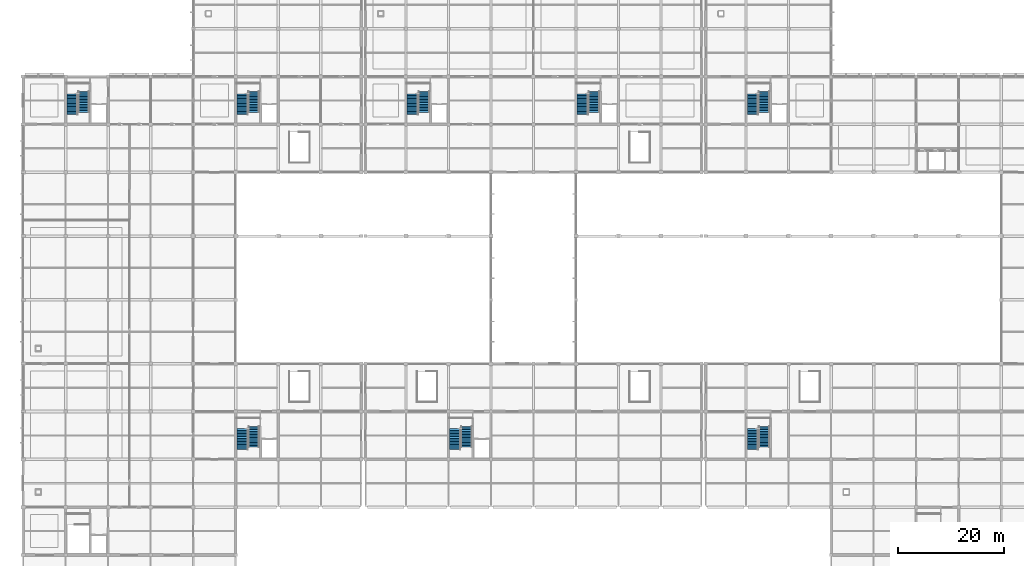
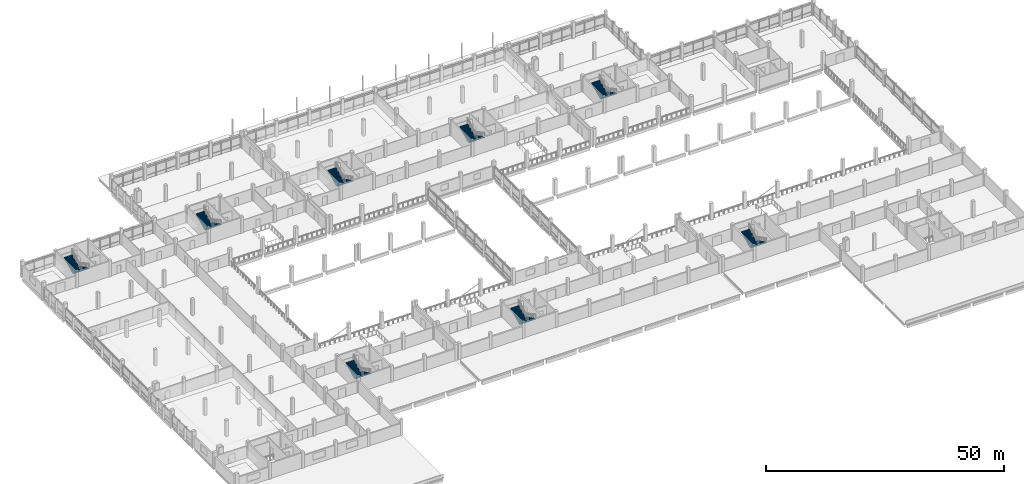
# One storey, part 51 of 57: 16 stair flights, 8 elements without a shape of their own.
"""IFC4 building model written with IfcOpenShell, lengths in metres."""

from ifc_helpers import new_model, si_unit, direction, frame, origin, place, context, subcontext, project, spatial, polyline, outline, extrude, material, type_object, element, aggregate, save


model = new_model("IFC4")

# Units and contexts
model_context = context("Model", 3, precision=1e-05, world=origin(), true_north=direction((0.0, 1.0)))
body_context = subcontext(model_context, "Body", "Model", "MODEL_VIEW")
ifc_project = project(units=[si_unit("LENGTHUNIT", "METRE"), si_unit("AREAUNIT", "SQUARE_METRE"), si_unit("VOLUMEUNIT", "CUBIC_METRE"), si_unit("PLANEANGLEUNIT", "RADIAN"), si_unit("MASSUNIT", "GRAM", prefix="KILO"), si_unit("THERMODYNAMICTEMPERATUREUNIT", "KELVIN"), si_unit("POWERUNIT", "WATT")], contexts=[model_context])

# Site, building, storey
site_placement = place(None, origin())
site = spatial("IfcSite", under=ifc_project, at=site_placement, CompositionType="ELEMENT")
building_placement = place(site_placement, origin())
building = spatial("IfcBuilding", under=site, at=building_placement, Name="Kronsvod Quay Wholesale Market", CompositionType="ELEMENT")
storey_placement = place(building_placement, frame((0.0, 0.0, 4.800048828125)))
storey = spatial("IfcBuildingStorey", under=building, at=storey_placement, Name="L01", CompositionType="ELEMENT", Elevation=4.800048828125)

# Stair, stair flights
ifc_material_1 = material(Name="Concrete C35/45", Category="concrete")
stair_type_1 = type_object("IfcStairType", Name="Stair_CoreUpper_28R", PredefinedType="HALF_TURN_STAIR", material=ifc_material_1)
stair_1_placement = place(storey_placement, origin())
stair_1 = element("IfcStair", 1, at=stair_1_placement, inside=storey, type_object=stair_type_1, Name="ST02-L01", PredefinedType="HALF_TURN_STAIR")
ifc_material_2 = material(Name="Concrete C35/45", Category="concrete")
stair_flight_type_1 = type_object("IfcStairFlightType", Name="StairFlight_14R_150", PredefinedType="STRAIGHT", material=ifc_material_2)
stair_flight_1_placement = place(storey_placement, frame((11.419921875, 105.179931640625, 0.0), z_axis=(0.0, 0.0, 1.0), x_axis=(0.0, -1.0, 0.0)))
stair_flight_1 = element("IfcStairFlight", 2, at=stair_flight_1_placement, type_object=stair_flight_type_1, Name="ST02-L01-F1", NumberOfRisers=14, NumberOfTreads=13, PredefinedType="STRAIGHT", RiserHeight=0.15, TreadLength=0.3, context=body_context, shape_type="SweptSolid", body=[
    extrude(outline(polyline([(0.0, 0.0), (0.0, 0.14990234375), (0.300048828125, 0.14990234375), (0.300048828125, 0.300048828125), (0.60009765625, 0.300048828125), (0.60009765625, 0.449951171875), (0.89990234375, 0.449951171875), (0.89990234375, 0.60009765625), (1.199951171875, 0.60009765625), (1.199951171875, 0.75), (1.5, 0.75), (1.5, 0.89990234375), (1.800048828125, 0.89990234375), (1.800048828125, 1.050048828125), (2.10009765625, 1.050048828125), (2.10009765625, 1.199951171875), (2.39990234375, 1.199951171875), (2.39990234375, 1.35009765625), (2.699951171875, 1.35009765625), (2.699951171875, 1.5), (3.0, 1.5), (3.0, 1.64990234375), (3.300048828125, 1.64990234375), (3.300048828125, 1.800048828125), (3.60009765625, 1.800048828125), (3.60009765625, 1.949951171875), (3.89990234375, 1.949951171875), (3.89990234375, 2.10009765625), (3.89990234375, 1.771240234375), (0.357666015625, 0.0), (0.0, 0.0)])), frame((0.0, 1.02001953125, 0.0), z_axis=(0.0, -1.0, 0.0), x_axis=(1.0, 0.0, 0.0)), (0.0, 0.0, 1.0), 2.0400390625),
])
stair_flight_2_placement = place(storey_placement, frame((9.239990234375, 100.860107421875, 2.099853515625), z_axis=(0.0, 0.0, 1.0), x_axis=(0.0, 1.0, 0.0)))
stair_flight_2 = element("IfcStairFlight", 3, at=stair_flight_2_placement, type_object=stair_flight_type_1, Name="ST02-L01-F2", NumberOfRisers=14, NumberOfTreads=13, PredefinedType="STRAIGHT", RiserHeight=0.15, TreadLength=0.3, context=body_context, shape_type="SweptSolid", body=[
    extrude(outline(polyline([(0.0, 0.0), (0.0, 0.14990234375), (0.300048828125, 0.14990234375), (0.300048828125, 0.300048828125), (0.60009765625, 0.300048828125), (0.60009765625, 0.449951171875), (0.89990234375, 0.449951171875), (0.89990234375, 0.60009765625), (1.199951171875, 0.60009765625), (1.199951171875, 0.75), (1.5, 0.75), (1.5, 0.89990234375), (1.800048828125, 0.89990234375), (1.800048828125, 1.050048828125), (2.10009765625, 1.050048828125), (2.10009765625, 1.199951171875), (2.39990234375, 1.199951171875), (2.39990234375, 1.35009765625), (2.699951171875, 1.35009765625), (2.699951171875, 1.5), (3.0, 1.5), (3.0, 1.64990234375), (3.300048828125, 1.64990234375), (3.300048828125, 1.800048828125), (3.60009765625, 1.800048828125), (3.60009765625, 1.949951171875), (3.89990234375, 1.949951171875), (3.89990234375, 2.10009765625), (3.89990234375, 1.771240234375), (0.357666015625, 0.0), (0.0, 0.0)])), frame((0.0, 1.02001953125, 0.0), z_axis=(0.0, -1.0, 0.0), x_axis=(1.0, 0.0, 0.0)), (0.0, 0.0, 1.0), 2.0400390625),
])
aggregate(stair_1, [stair_flight_1, stair_flight_2])

stair_2_placement = place(storey_placement, origin())
stair_2 = element("IfcStair", 4, at=stair_2_placement, inside=storey, type_object=stair_type_1, Name="ST03-L01", PredefinedType="HALF_TURN_STAIR")
stair_flight_3_placement = place(storey_placement, frame((43.419921875, 42.179931640625, 0.0), z_axis=(0.0, 0.0, 1.0), x_axis=(0.0, -1.0, 0.0)))
stair_flight_3 = element("IfcStairFlight", 5, at=stair_flight_3_placement, type_object=stair_flight_type_1, Name="ST03-L01-F1", NumberOfRisers=14, NumberOfTreads=13, PredefinedType="STRAIGHT", RiserHeight=0.15, TreadLength=0.3, context=body_context, shape_type="SweptSolid", body=[
    extrude(outline(polyline([(0.0, 0.0), (0.0, 0.14990234375), (0.300048828125, 0.14990234375), (0.300048828125, 0.300048828125), (0.60009765625, 0.300048828125), (0.60009765625, 0.449951171875), (0.89990234375, 0.449951171875), (0.89990234375, 0.60009765625), (1.199951171875, 0.60009765625), (1.199951171875, 0.75), (1.5, 0.75), (1.5, 0.89990234375), (1.800048828125, 0.89990234375), (1.800048828125, 1.050048828125), (2.10009765625, 1.050048828125), (2.10009765625, 1.199951171875), (2.39990234375, 1.199951171875), (2.39990234375, 1.35009765625), (2.699951171875, 1.35009765625), (2.699951171875, 1.5), (3.0, 1.5), (3.0, 1.64990234375), (3.300048828125, 1.64990234375), (3.300048828125, 1.800048828125), (3.60009765625, 1.800048828125), (3.60009765625, 1.949951171875), (3.89990234375, 1.949951171875), (3.89990234375, 2.10009765625), (3.89990234375, 1.771240234375), (0.357666015625, 0.0), (0.0, 0.0)])), frame((0.0, 1.02001953125, 0.0), z_axis=(0.0, -1.0, 0.0), x_axis=(1.0, 0.0, 0.0)), (0.0, 0.0, 1.0), 2.0400390625),
])
stair_flight_4_placement = place(storey_placement, frame((41.239990234375, 37.860107421875, 2.099853515625), z_axis=(0.0, 0.0, 1.0), x_axis=(0.0, 1.0, 0.0)))
stair_flight_4 = element("IfcStairFlight", 6, at=stair_flight_4_placement, type_object=stair_flight_type_1, Name="ST03-L01-F2", NumberOfRisers=14, NumberOfTreads=13, PredefinedType="STRAIGHT", RiserHeight=0.15, TreadLength=0.3, context=body_context, shape_type="SweptSolid", body=[
    extrude(outline(polyline([(0.0, 0.0), (0.0, 0.14990234375), (0.300048828125, 0.14990234375), (0.300048828125, 0.300048828125), (0.60009765625, 0.300048828125), (0.60009765625, 0.449951171875), (0.89990234375, 0.449951171875), (0.89990234375, 0.60009765625), (1.199951171875, 0.60009765625), (1.199951171875, 0.75), (1.5, 0.75), (1.5, 0.89990234375), (1.800048828125, 0.89990234375), (1.800048828125, 1.050048828125), (2.10009765625, 1.050048828125), (2.10009765625, 1.199951171875), (2.39990234375, 1.199951171875), (2.39990234375, 1.35009765625), (2.699951171875, 1.35009765625), (2.699951171875, 1.5), (3.0, 1.5), (3.0, 1.64990234375), (3.300048828125, 1.64990234375), (3.300048828125, 1.800048828125), (3.60009765625, 1.800048828125), (3.60009765625, 1.949951171875), (3.89990234375, 1.949951171875), (3.89990234375, 2.10009765625), (3.89990234375, 1.771240234375), (0.357666015625, 0.0), (0.0, 0.0)])), frame((0.0, 1.02001953125, 0.0), z_axis=(0.0, -1.0, 0.0), x_axis=(1.0, 0.0, 0.0)), (0.0, 0.0, 1.0), 2.0400390625),
])
aggregate(stair_2, [stair_flight_3, stair_flight_4])

stair_3_placement = place(storey_placement, origin())
stair_3 = element("IfcStair", 7, at=stair_3_placement, inside=storey, type_object=stair_type_1, Name="ST04-L01", PredefinedType="HALF_TURN_STAIR")
stair_flight_5_placement = place(storey_placement, frame((83.419921875, 42.179931640625, 0.0), z_axis=(0.0, 0.0, 1.0), x_axis=(0.0, -1.0, 0.0)))
stair_flight_5 = element("IfcStairFlight", 8, at=stair_flight_5_placement, type_object=stair_flight_type_1, Name="ST04-L01-F1", NumberOfRisers=14, NumberOfTreads=13, PredefinedType="STRAIGHT", RiserHeight=0.15, TreadLength=0.3, context=body_context, shape_type="SweptSolid", body=[
    extrude(outline(polyline([(0.0, 0.0), (0.0, 0.14990234375), (0.300048828125, 0.14990234375), (0.300048828125, 0.300048828125), (0.60009765625, 0.300048828125), (0.60009765625, 0.449951171875), (0.89990234375, 0.449951171875), (0.89990234375, 0.60009765625), (1.199951171875, 0.60009765625), (1.199951171875, 0.75), (1.5, 0.75), (1.5, 0.89990234375), (1.800048828125, 0.89990234375), (1.800048828125, 1.050048828125), (2.10009765625, 1.050048828125), (2.10009765625, 1.199951171875), (2.39990234375, 1.199951171875), (2.39990234375, 1.35009765625), (2.699951171875, 1.35009765625), (2.699951171875, 1.5), (3.0, 1.5), (3.0, 1.64990234375), (3.300048828125, 1.64990234375), (3.300048828125, 1.800048828125), (3.60009765625, 1.800048828125), (3.60009765625, 1.949951171875), (3.89990234375, 1.949951171875), (3.89990234375, 2.10009765625), (3.89990234375, 1.771240234375), (0.357666015625, 0.0), (0.0, 0.0)])), frame((0.0, 1.02001953125, 0.0), z_axis=(0.0, -1.0, 0.0), x_axis=(1.0, 0.0, 0.0)), (0.0, 0.0, 1.0), 2.0400390625),
])
stair_flight_6_placement = place(storey_placement, frame((81.239990234375, 37.860107421875, 2.099853515625), z_axis=(0.0, 0.0, 1.0), x_axis=(0.0, 1.0, 0.0)))
stair_flight_6 = element("IfcStairFlight", 9, at=stair_flight_6_placement, type_object=stair_flight_type_1, Name="ST04-L01-F2", NumberOfRisers=14, NumberOfTreads=13, PredefinedType="STRAIGHT", RiserHeight=0.15, TreadLength=0.3, context=body_context, shape_type="SweptSolid", body=[
    extrude(outline(polyline([(0.0, 0.0), (0.0, 0.14990234375), (0.300048828125, 0.14990234375), (0.300048828125, 0.300048828125), (0.60009765625, 0.300048828125), (0.60009765625, 0.449951171875), (0.89990234375, 0.449951171875), (0.89990234375, 0.60009765625), (1.199951171875, 0.60009765625), (1.199951171875, 0.75), (1.5, 0.75), (1.5, 0.89990234375), (1.800048828125, 0.89990234375), (1.800048828125, 1.050048828125), (2.10009765625, 1.050048828125), (2.10009765625, 1.199951171875), (2.39990234375, 1.199951171875), (2.39990234375, 1.35009765625), (2.699951171875, 1.35009765625), (2.699951171875, 1.5), (3.0, 1.5), (3.0, 1.64990234375), (3.300048828125, 1.64990234375), (3.300048828125, 1.800048828125), (3.60009765625, 1.800048828125), (3.60009765625, 1.949951171875), (3.89990234375, 1.949951171875), (3.89990234375, 2.10009765625), (3.89990234375, 1.771240234375), (0.357666015625, 0.0), (0.0, 0.0)])), frame((0.0, 1.02001953125, 0.0), z_axis=(0.0, -1.0, 0.0), x_axis=(1.0, 0.0, 0.0)), (0.0, 0.0, 1.0), 2.0400390625),
])
aggregate(stair_3, [stair_flight_5, stair_flight_6])

stair_4_placement = place(storey_placement, origin())
stair_4 = element("IfcStair", 10, at=stair_4_placement, inside=storey, type_object=stair_type_1, Name="ST05-L01", PredefinedType="HALF_TURN_STAIR")
stair_flight_7_placement = place(storey_placement, frame((139.419921875, 42.179931640625, 0.0), z_axis=(0.0, 0.0, 1.0), x_axis=(0.0, -1.0, 0.0)))
stair_flight_7 = element("IfcStairFlight", 11, at=stair_flight_7_placement, type_object=stair_flight_type_1, Name="ST05-L01-F1", NumberOfRisers=14, NumberOfTreads=13, PredefinedType="STRAIGHT", RiserHeight=0.15, TreadLength=0.3, context=body_context, shape_type="SweptSolid", body=[
    extrude(outline(polyline([(0.0, 0.0), (0.0, 0.14990234375), (0.300048828125, 0.14990234375), (0.300048828125, 0.300048828125), (0.60009765625, 0.300048828125), (0.60009765625, 0.449951171875), (0.89990234375, 0.449951171875), (0.89990234375, 0.60009765625), (1.199951171875, 0.60009765625), (1.199951171875, 0.75), (1.5, 0.75), (1.5, 0.89990234375), (1.800048828125, 0.89990234375), (1.800048828125, 1.050048828125), (2.10009765625, 1.050048828125), (2.10009765625, 1.199951171875), (2.39990234375, 1.199951171875), (2.39990234375, 1.35009765625), (2.699951171875, 1.35009765625), (2.699951171875, 1.5), (3.0, 1.5), (3.0, 1.64990234375), (3.300048828125, 1.64990234375), (3.300048828125, 1.800048828125), (3.60009765625, 1.800048828125), (3.60009765625, 1.949951171875), (3.89990234375, 1.949951171875), (3.89990234375, 2.10009765625), (3.89990234375, 1.771240234375), (0.357666015625, 0.0), (0.0, 0.0)])), frame((0.0, 1.02001953125, 0.0), z_axis=(0.0, -1.0, 0.0), x_axis=(1.0, 0.0, 0.0)), (0.0, 0.0, 1.0), 2.0400390625),
])
stair_flight_8_placement = place(storey_placement, frame((137.239990234375, 37.860107421875, 2.099853515625), z_axis=(0.0, 0.0, 1.0), x_axis=(0.0, 1.0, 0.0)))
stair_flight_8 = element("IfcStairFlight", 12, at=stair_flight_8_placement, type_object=stair_flight_type_1, Name="ST05-L01-F2", NumberOfRisers=14, NumberOfTreads=13, PredefinedType="STRAIGHT", RiserHeight=0.15, TreadLength=0.3, context=body_context, shape_type="SweptSolid", body=[
    extrude(outline(polyline([(0.0, 0.0), (0.0, 0.14990234375), (0.300048828125, 0.14990234375), (0.300048828125, 0.300048828125), (0.60009765625, 0.300048828125), (0.60009765625, 0.449951171875), (0.89990234375, 0.449951171875), (0.89990234375, 0.60009765625), (1.199951171875, 0.60009765625), (1.199951171875, 0.75), (1.5, 0.75), (1.5, 0.89990234375), (1.800048828125, 0.89990234375), (1.800048828125, 1.050048828125), (2.10009765625, 1.050048828125), (2.10009765625, 1.199951171875), (2.39990234375, 1.199951171875), (2.39990234375, 1.35009765625), (2.699951171875, 1.35009765625), (2.699951171875, 1.5), (3.0, 1.5), (3.0, 1.64990234375), (3.300048828125, 1.64990234375), (3.300048828125, 1.800048828125), (3.60009765625, 1.800048828125), (3.60009765625, 1.949951171875), (3.89990234375, 1.949951171875), (3.89990234375, 2.10009765625), (3.89990234375, 1.771240234375), (0.357666015625, 0.0), (0.0, 0.0)])), frame((0.0, 1.02001953125, 0.0), z_axis=(0.0, -1.0, 0.0), x_axis=(1.0, 0.0, 0.0)), (0.0, 0.0, 1.0), 2.0400390625),
])
aggregate(stair_4, [stair_flight_7, stair_flight_8])

ifc_material_3 = material(Name="Concrete C35/45", Category="concrete")
stair_type_2 = type_object("IfcStairType", Name="Stair_CoreV5_28R", PredefinedType="HALF_TURN_STAIR", material=ifc_material_3)
stair_5_placement = place(storey_placement, origin())
stair_5 = element("IfcStair", 13, at=stair_5_placement, inside=storey, type_object=stair_type_2, Name="ST07-L01", PredefinedType="HALF_TURN_STAIR")
ifc_material_4 = material(Name="Concrete C35/45", Category="concrete")
stair_flight_type_2 = type_object("IfcStairFlightType", Name="StairFlight_14R_160", PredefinedType="STRAIGHT", material=ifc_material_4)
stair_flight_9_placement = place(storey_placement, frame((43.409912109375, 105.179931640625, 0.0), z_axis=(0.0, 0.0, 1.0), x_axis=(0.0, -1.0, 0.0)))
stair_flight_9 = element("IfcStairFlight", 14, at=stair_flight_9_placement, type_object=stair_flight_type_2, Name="ST07-L01-F1", NumberOfRisers=14, NumberOfTreads=13, PredefinedType="STRAIGHT", RiserHeight=0.15, TreadLength=0.3, context=body_context, shape_type="SweptSolid", body=[
    extrude(outline(polyline([(0.0, 0.0), (0.0, 0.14990234375), (0.300048828125, 0.14990234375), (0.300048828125, 0.300048828125), (0.60009765625, 0.300048828125), (0.60009765625, 0.449951171875), (0.89990234375, 0.449951171875), (0.89990234375, 0.60009765625), (1.199951171875, 0.60009765625), (1.199951171875, 0.75), (1.5, 0.75), (1.5, 0.89990234375), (1.800048828125, 0.89990234375), (1.800048828125, 1.050048828125), (2.10009765625, 1.050048828125), (2.10009765625, 1.199951171875), (2.39990234375, 1.199951171875), (2.39990234375, 1.35009765625), (2.699951171875, 1.35009765625), (2.699951171875, 1.5), (3.0, 1.5), (3.0, 1.64990234375), (3.300048828125, 1.64990234375), (3.300048828125, 1.800048828125), (3.60009765625, 1.800048828125), (3.60009765625, 1.949951171875), (3.89990234375, 1.949951171875), (3.89990234375, 2.10009765625), (3.89990234375, 1.771240234375), (0.357666015625, 0.0), (0.0, 0.0)])), frame((0.0, 1.030029296875, 0.0), z_axis=(0.0, -1.0, 0.0), x_axis=(1.0, 0.0, 0.0)), (0.0, 0.0, 1.0), 2.06005859375),
])
stair_flight_10_placement = place(storey_placement, frame((41.25, 100.860107421875, 2.099853515625), z_axis=(0.0, 0.0, 1.0), x_axis=(0.0, 1.0, 0.0)))
stair_flight_10 = element("IfcStairFlight", 15, at=stair_flight_10_placement, type_object=stair_flight_type_2, Name="ST07-L01-F2", NumberOfRisers=14, NumberOfTreads=13, PredefinedType="STRAIGHT", RiserHeight=0.15, TreadLength=0.3, context=body_context, shape_type="SweptSolid", body=[
    extrude(outline(polyline([(0.0, 0.0), (0.0, 0.14990234375), (0.300048828125, 0.14990234375), (0.300048828125, 0.300048828125), (0.60009765625, 0.300048828125), (0.60009765625, 0.449951171875), (0.89990234375, 0.449951171875), (0.89990234375, 0.60009765625), (1.199951171875, 0.60009765625), (1.199951171875, 0.75), (1.5, 0.75), (1.5, 0.89990234375), (1.800048828125, 0.89990234375), (1.800048828125, 1.050048828125), (2.10009765625, 1.050048828125), (2.10009765625, 1.199951171875), (2.39990234375, 1.199951171875), (2.39990234375, 1.35009765625), (2.699951171875, 1.35009765625), (2.699951171875, 1.5), (3.0, 1.5), (3.0, 1.64990234375), (3.300048828125, 1.64990234375), (3.300048828125, 1.800048828125), (3.60009765625, 1.800048828125), (3.60009765625, 1.949951171875), (3.89990234375, 1.949951171875), (3.89990234375, 2.10009765625), (3.89990234375, 1.771240234375), (0.357666015625, 0.0), (0.0, 0.0)])), frame((0.0, 1.030029296875, 0.0), z_axis=(0.0, -1.0, 0.0), x_axis=(1.0, 0.0, 0.0)), (0.0, 0.0, 1.0), 2.06005859375),
])
aggregate(stair_5, [stair_flight_9, stair_flight_10])

stair_6_placement = place(storey_placement, origin())
stair_6 = element("IfcStair", 16, at=stair_6_placement, inside=storey, type_object=stair_type_2, Name="ST08-L01", PredefinedType="HALF_TURN_STAIR")
stair_flight_11_placement = place(storey_placement, frame((75.409912109375, 105.179931640625, 0.0), z_axis=(0.0, 0.0, 1.0), x_axis=(0.0, -1.0, 0.0)))
stair_flight_11 = element("IfcStairFlight", 17, at=stair_flight_11_placement, type_object=stair_flight_type_2, Name="ST08-L01-F1", NumberOfRisers=14, NumberOfTreads=13, PredefinedType="STRAIGHT", RiserHeight=0.15, TreadLength=0.3, context=body_context, shape_type="SweptSolid", body=[
    extrude(outline(polyline([(0.0, 0.0), (0.0, 0.14990234375), (0.300048828125, 0.14990234375), (0.300048828125, 0.300048828125), (0.60009765625, 0.300048828125), (0.60009765625, 0.449951171875), (0.89990234375, 0.449951171875), (0.89990234375, 0.60009765625), (1.199951171875, 0.60009765625), (1.199951171875, 0.75), (1.5, 0.75), (1.5, 0.89990234375), (1.800048828125, 0.89990234375), (1.800048828125, 1.050048828125), (2.10009765625, 1.050048828125), (2.10009765625, 1.199951171875), (2.39990234375, 1.199951171875), (2.39990234375, 1.35009765625), (2.699951171875, 1.35009765625), (2.699951171875, 1.5), (3.0, 1.5), (3.0, 1.64990234375), (3.300048828125, 1.64990234375), (3.300048828125, 1.800048828125), (3.60009765625, 1.800048828125), (3.60009765625, 1.949951171875), (3.89990234375, 1.949951171875), (3.89990234375, 2.10009765625), (3.89990234375, 1.771240234375), (0.357666015625, 0.0), (0.0, 0.0)])), frame((0.0, 1.030029296875, 0.0), z_axis=(0.0, -1.0, 0.0), x_axis=(1.0, 0.0, 0.0)), (0.0, 0.0, 1.0), 2.06005859375),
])
stair_flight_12_placement = place(storey_placement, frame((73.25, 100.860107421875, 2.099853515625), z_axis=(0.0, 0.0, 1.0), x_axis=(0.0, 1.0, 0.0)))
stair_flight_12 = element("IfcStairFlight", 18, at=stair_flight_12_placement, type_object=stair_flight_type_2, Name="ST08-L01-F2", NumberOfRisers=14, NumberOfTreads=13, PredefinedType="STRAIGHT", RiserHeight=0.15, TreadLength=0.3, context=body_context, shape_type="SweptSolid", body=[
    extrude(outline(polyline([(0.0, 0.0), (0.0, 0.14990234375), (0.300048828125, 0.14990234375), (0.300048828125, 0.300048828125), (0.60009765625, 0.300048828125), (0.60009765625, 0.449951171875), (0.89990234375, 0.449951171875), (0.89990234375, 0.60009765625), (1.199951171875, 0.60009765625), (1.199951171875, 0.75), (1.5, 0.75), (1.5, 0.89990234375), (1.800048828125, 0.89990234375), (1.800048828125, 1.050048828125), (2.10009765625, 1.050048828125), (2.10009765625, 1.199951171875), (2.39990234375, 1.199951171875), (2.39990234375, 1.35009765625), (2.699951171875, 1.35009765625), (2.699951171875, 1.5), (3.0, 1.5), (3.0, 1.64990234375), (3.300048828125, 1.64990234375), (3.300048828125, 1.800048828125), (3.60009765625, 1.800048828125), (3.60009765625, 1.949951171875), (3.89990234375, 1.949951171875), (3.89990234375, 2.10009765625), (3.89990234375, 1.771240234375), (0.357666015625, 0.0), (0.0, 0.0)])), frame((0.0, 1.030029296875, 0.0), z_axis=(0.0, -1.0, 0.0), x_axis=(1.0, 0.0, 0.0)), (0.0, 0.0, 1.0), 2.06005859375),
])
aggregate(stair_6, [stair_flight_11, stair_flight_12])

stair_7_placement = place(storey_placement, origin())
stair_7 = element("IfcStair", 19, at=stair_7_placement, inside=storey, type_object=stair_type_2, Name="ST09-L01", PredefinedType="HALF_TURN_STAIR")
stair_flight_13_placement = place(storey_placement, frame((107.409912109375, 105.179931640625, 0.0), z_axis=(0.0, 0.0, 1.0), x_axis=(0.0, -1.0, 0.0)))
stair_flight_13 = element("IfcStairFlight", 20, at=stair_flight_13_placement, type_object=stair_flight_type_2, Name="ST09-L01-F1", NumberOfRisers=14, NumberOfTreads=13, PredefinedType="STRAIGHT", RiserHeight=0.15, TreadLength=0.3, context=body_context, shape_type="SweptSolid", body=[
    extrude(outline(polyline([(0.0, 0.0), (0.0, 0.14990234375), (0.300048828125, 0.14990234375), (0.300048828125, 0.300048828125), (0.60009765625, 0.300048828125), (0.60009765625, 0.449951171875), (0.89990234375, 0.449951171875), (0.89990234375, 0.60009765625), (1.199951171875, 0.60009765625), (1.199951171875, 0.75), (1.5, 0.75), (1.5, 0.89990234375), (1.800048828125, 0.89990234375), (1.800048828125, 1.050048828125), (2.10009765625, 1.050048828125), (2.10009765625, 1.199951171875), (2.39990234375, 1.199951171875), (2.39990234375, 1.35009765625), (2.699951171875, 1.35009765625), (2.699951171875, 1.5), (3.0, 1.5), (3.0, 1.64990234375), (3.300048828125, 1.64990234375), (3.300048828125, 1.800048828125), (3.60009765625, 1.800048828125), (3.60009765625, 1.949951171875), (3.89990234375, 1.949951171875), (3.89990234375, 2.10009765625), (3.89990234375, 1.771240234375), (0.357666015625, 0.0), (0.0, 0.0)])), frame((0.0, 1.030029296875, 0.0), z_axis=(0.0, -1.0, 0.0), x_axis=(1.0, 0.0, 0.0)), (0.0, 0.0, 1.0), 2.06005859375),
])
stair_flight_14_placement = place(storey_placement, frame((105.25, 100.860107421875, 2.099853515625), z_axis=(0.0, 0.0, 1.0), x_axis=(0.0, 1.0, 0.0)))
stair_flight_14 = element("IfcStairFlight", 21, at=stair_flight_14_placement, type_object=stair_flight_type_2, Name="ST09-L01-F2", NumberOfRisers=14, NumberOfTreads=13, PredefinedType="STRAIGHT", RiserHeight=0.15, TreadLength=0.3, context=body_context, shape_type="SweptSolid", body=[
    extrude(outline(polyline([(0.0, 0.0), (0.0, 0.14990234375), (0.300048828125, 0.14990234375), (0.300048828125, 0.300048828125), (0.60009765625, 0.300048828125), (0.60009765625, 0.449951171875), (0.89990234375, 0.449951171875), (0.89990234375, 0.60009765625), (1.199951171875, 0.60009765625), (1.199951171875, 0.75), (1.5, 0.75), (1.5, 0.89990234375), (1.800048828125, 0.89990234375), (1.800048828125, 1.050048828125), (2.10009765625, 1.050048828125), (2.10009765625, 1.199951171875), (2.39990234375, 1.199951171875), (2.39990234375, 1.35009765625), (2.699951171875, 1.35009765625), (2.699951171875, 1.5), (3.0, 1.5), (3.0, 1.64990234375), (3.300048828125, 1.64990234375), (3.300048828125, 1.800048828125), (3.60009765625, 1.800048828125), (3.60009765625, 1.949951171875), (3.89990234375, 1.949951171875), (3.89990234375, 2.10009765625), (3.89990234375, 1.771240234375), (0.357666015625, 0.0), (0.0, 0.0)])), frame((0.0, 1.030029296875, 0.0), z_axis=(0.0, -1.0, 0.0), x_axis=(1.0, 0.0, 0.0)), (0.0, 0.0, 1.0), 2.06005859375),
])
aggregate(stair_7, [stair_flight_13, stair_flight_14])

stair_8_placement = place(storey_placement, origin())
stair_8 = element("IfcStair", 22, at=stair_8_placement, inside=storey, type_object=stair_type_2, Name="ST10-L01", PredefinedType="HALF_TURN_STAIR")
stair_flight_15_placement = place(storey_placement, frame((139.409912109375, 105.179931640625, 0.0), z_axis=(0.0, 0.0, 1.0), x_axis=(0.0, -1.0, 0.0)))
stair_flight_15 = element("IfcStairFlight", 23, at=stair_flight_15_placement, type_object=stair_flight_type_2, Name="ST10-L01-F1", NumberOfRisers=14, NumberOfTreads=13, PredefinedType="STRAIGHT", RiserHeight=0.15, TreadLength=0.3, context=body_context, shape_type="SweptSolid", body=[
    extrude(outline(polyline([(0.0, 0.0), (0.0, 0.14990234375), (0.300048828125, 0.14990234375), (0.300048828125, 0.300048828125), (0.60009765625, 0.300048828125), (0.60009765625, 0.449951171875), (0.89990234375, 0.449951171875), (0.89990234375, 0.60009765625), (1.199951171875, 0.60009765625), (1.199951171875, 0.75), (1.5, 0.75), (1.5, 0.89990234375), (1.800048828125, 0.89990234375), (1.800048828125, 1.050048828125), (2.10009765625, 1.050048828125), (2.10009765625, 1.199951171875), (2.39990234375, 1.199951171875), (2.39990234375, 1.35009765625), (2.699951171875, 1.35009765625), (2.699951171875, 1.5), (3.0, 1.5), (3.0, 1.64990234375), (3.300048828125, 1.64990234375), (3.300048828125, 1.800048828125), (3.60009765625, 1.800048828125), (3.60009765625, 1.949951171875), (3.89990234375, 1.949951171875), (3.89990234375, 2.10009765625), (3.89990234375, 1.771240234375), (0.357666015625, 0.0), (0.0, 0.0)])), frame((0.0, 1.030029296875, 0.0), z_axis=(0.0, -1.0, 0.0), x_axis=(1.0, 0.0, 0.0)), (0.0, 0.0, 1.0), 2.06005859375),
])
stair_flight_16_placement = place(storey_placement, frame((137.25, 100.860107421875, 2.099853515625), z_axis=(0.0, 0.0, 1.0), x_axis=(0.0, 1.0, 0.0)))
stair_flight_16 = element("IfcStairFlight", 24, at=stair_flight_16_placement, type_object=stair_flight_type_2, Name="ST10-L01-F2", NumberOfRisers=14, NumberOfTreads=13, PredefinedType="STRAIGHT", RiserHeight=0.15, TreadLength=0.3, context=body_context, shape_type="SweptSolid", body=[
    extrude(outline(polyline([(0.0, 0.0), (0.0, 0.14990234375), (0.300048828125, 0.14990234375), (0.300048828125, 0.300048828125), (0.60009765625, 0.300048828125), (0.60009765625, 0.449951171875), (0.89990234375, 0.449951171875), (0.89990234375, 0.60009765625), (1.199951171875, 0.60009765625), (1.199951171875, 0.75), (1.5, 0.75), (1.5, 0.89990234375), (1.800048828125, 0.89990234375), (1.800048828125, 1.050048828125), (2.10009765625, 1.050048828125), (2.10009765625, 1.199951171875), (2.39990234375, 1.199951171875), (2.39990234375, 1.35009765625), (2.699951171875, 1.35009765625), (2.699951171875, 1.5), (3.0, 1.5), (3.0, 1.64990234375), (3.300048828125, 1.64990234375), (3.300048828125, 1.800048828125), (3.60009765625, 1.800048828125), (3.60009765625, 1.949951171875), (3.89990234375, 1.949951171875), (3.89990234375, 2.10009765625), (3.89990234375, 1.771240234375), (0.357666015625, 0.0), (0.0, 0.0)])), frame((0.0, 1.030029296875, 0.0), z_axis=(0.0, -1.0, 0.0), x_axis=(1.0, 0.0, 0.0)), (0.0, 0.0, 1.0), 2.06005859375),
])
aggregate(stair_8, [stair_flight_15, stair_flight_16])

save(model, "model.ifc")
